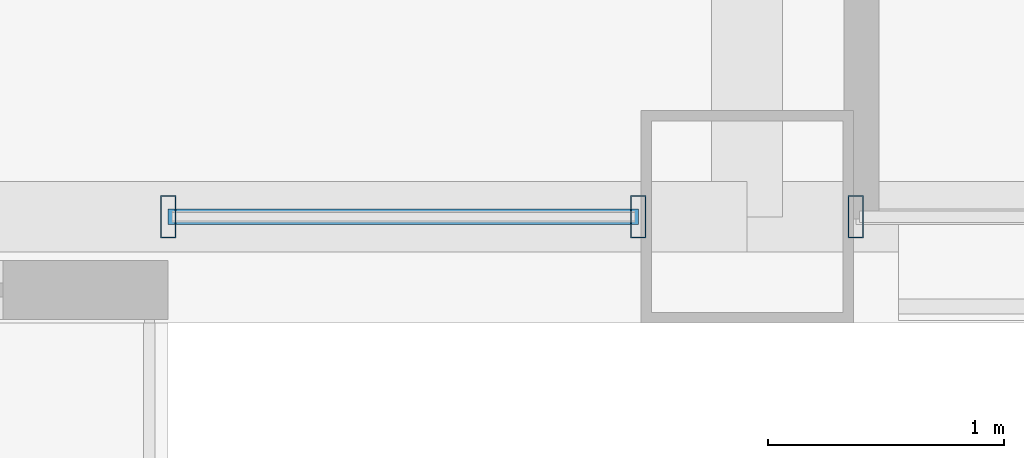
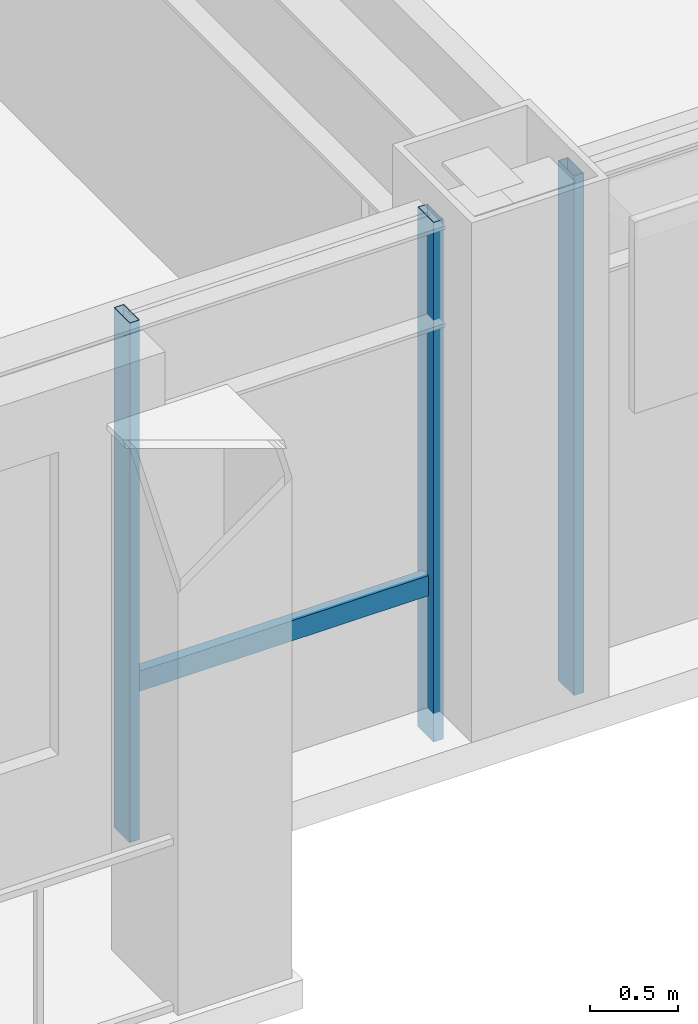
# One storey, part 4 of 29: 4 members, 2 elements without a shape of their own.
"""IFC4 building model written with IfcOpenShell, lengths in metres."""

from ifc_helpers import new_model, si_unit, direction, frame, origin, origin_2d, place, context, subcontext, project, spatial, hollow_rectangle, extrude, material, layer, layer_set, material_profile, profile_set, type_object, element, aggregate, save


model = new_model("IFC4")

# Units and contexts
model_context = context("Model", 3, precision=1e-05, world=origin(), true_north=direction((0.0, 1.0)))
body_context = subcontext(model_context, "Body", "Model", "MODEL_VIEW")
ifc_project = project(units=[si_unit("LENGTHUNIT", "METRE"), si_unit("AREAUNIT", "SQUARE_METRE"), si_unit("VOLUMEUNIT", "CUBIC_METRE"), si_unit("PLANEANGLEUNIT", "RADIAN"), si_unit("MASSUNIT", "GRAM", prefix="KILO")], contexts=[model_context])

# Site, building, storey
site_placement = place(None, origin())
site = spatial("IfcSite", under=ifc_project, at=site_placement, CompositionType="ELEMENT")
building_placement = place(site_placement, origin())
building = spatial("IfcBuilding", under=site, at=building_placement, Name="Brelmoor Portico Tower", CompositionType="ELEMENT")
storey_placement = place(building_placement, frame((0.0, 0.0, 63.60009765625)))
storey = spatial("IfcBuildingStorey", under=building, at=storey_placement, Name="L16", CompositionType="ELEMENT", Elevation=63.60009765625)

# Curtain wall, members
ifc_material = material(Name="Anodised Aluminium Alloy 6063-T6", Category="aluminium")
ifc_layer_1 = layer(ifc_material, 0.179931640625)
ifc_layer_set_1 = layer_set([ifc_layer_1], Name="Anodised Aluminium Alloy 6063-T6")
curtain_wall_type_1 = type_object("IfcCurtainWallType", Name="CW-TOWER-Z1", PredefinedType="NOTDEFINED", material=ifc_layer_set_1)
curtain_wall_1_placement = place(storey_placement, origin())
curtain_wall_1 = element("IfcCurtainWall", 1, at=curtain_wall_1_placement, inside=storey, type_object=curtain_wall_type_1, Name="L16 Curtain Wall CW-L16-1R-1", PredefinedType="NOTDEFINED")
ifc_material_profile_1 = material_profile(ifc_material, hollow_rectangle(XDim=0.06494140625, YDim=0.179931640625, WallThickness=0.00390625, at=origin_2d()), Name="ALU MULLION 65x180")
ifc_profile_set_1 = profile_set([ifc_material_profile_1], Name="Anodised Aluminium Alloy 6063-T6")
member_type_1 = type_object("IfcMemberType", Name="MB-CW-MULL-180", PredefinedType="MULLION", material=ifc_profile_set_1)
member_1_placement = place(storey_placement, frame((-10.5, -21.550048828125, -0.2001953125), z_axis=(0.0, 0.0, 1.0), x_axis=(1.0, 0.0, 0.0)))
member_1 = element("IfcMember", 2, at=member_1_placement, type_object=member_type_1, Name="CW-L16-1R-1 Mullion 00", PredefinedType="MULLION", context=body_context, shape_type="SweptSolid", body=[
    extrude(hollow_rectangle(XDim=0.06494140625, YDim=0.179931640625, WallThickness=0.00390625, at=origin_2d()), origin(), (0.0, 0.0, 1.0), 3.60009765625),
])
member_2_placement = place(storey_placement, frame((-8.510009765625, -21.550048828125, -0.2001953125), z_axis=(0.0, 0.0, 1.0), x_axis=(1.0, 0.0, 0.0)))
member_2 = element("IfcMember", 3, at=member_2_placement, type_object=member_type_1, Name="CW-L16-1R-1 Mullion 01", PredefinedType="MULLION", context=body_context, shape_type="SweptSolid", body=[
    extrude(hollow_rectangle(XDim=0.06494140625, YDim=0.179931640625, WallThickness=0.00390625, at=origin_2d()), origin(), (0.0, 0.0, 1.0), 3.60009765625),
])

# Curtain wall, member
ifc_layer_2 = layer(ifc_material, 0.179931640625)
ifc_layer_set_2 = layer_set([ifc_layer_2], Name="Anodised Aluminium Alloy 6063-T6")
curtain_wall_type_2 = type_object("IfcCurtainWallType", Name="CW-TOWER-Z1-XB", PredefinedType="NOTDEFINED", material=ifc_layer_set_2)
curtain_wall_2_placement = place(storey_placement, origin())
curtain_wall_2 = element("IfcCurtainWall", 4, at=curtain_wall_2_placement, inside=storey, type_object=curtain_wall_type_2, Name="L16 Curtain Wall CW-L16-1R-2", PredefinedType="NOTDEFINED")
member_3_placement = place(storey_placement, frame((-7.590087890625, -21.550048828125, -0.2001953125), z_axis=(0.0, 0.0, 1.0), x_axis=(1.0, 0.0, 0.0)))
member_3 = element("IfcMember", 5, at=member_3_placement, type_object=member_type_1, Name="CW-L16-1R-2 Mullion 00", PredefinedType="MULLION", context=body_context, shape_type="SweptSolid", body=[
    extrude(hollow_rectangle(XDim=0.06494140625, YDim=0.179931640625, WallThickness=0.00390625, at=origin_2d()), origin(), (0.0, 0.0, 1.0), 3.60009765625),
])
aggregate(curtain_wall_2, [member_3])

# Member
ifc_material_profile_2 = material_profile(ifc_material, hollow_rectangle(XDim=0.06494140625, YDim=0.139892578125, WallThickness=0.00390625, at=origin_2d()), Name="ALU TRANSOM 65x140")
ifc_profile_set_2 = profile_set([ifc_material_profile_2], Name="Anodised Aluminium Alloy 6063-T6")
member_type_2 = type_object("IfcMemberType", Name="MB-CW-TRAN-140", PredefinedType="USERDEFINED", material=ifc_profile_set_2)
member_4_placement = place(storey_placement, frame((-10.5, -21.550048828125, 0.849853515625), z_axis=(1.0, 0.0, 0.0), x_axis=(0.0, 1.0, 0.0)))
member_4 = element("IfcMember", 6, at=member_4_placement, type_object=member_type_2, Name="CW-L16-1R-1 Transom 1-00", ObjectType="TRANSOM", PredefinedType="USERDEFINED", context=body_context, shape_type="SweptSolid", body=[
    extrude(hollow_rectangle(XDim=0.06494140625, YDim=0.139892578125, WallThickness=0.00390625, at=origin_2d()), origin(), (0.0, 0.0, 1.0), 1.989990234375),
])

aggregate(curtain_wall_1, [member_1, member_2, member_4])

save(model, "model.ifc")
